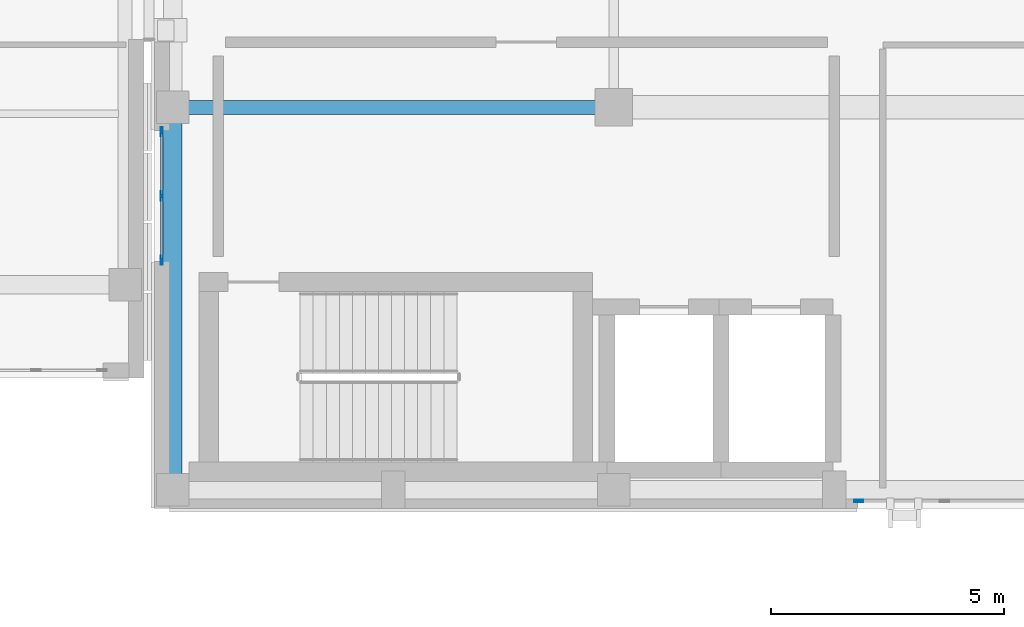
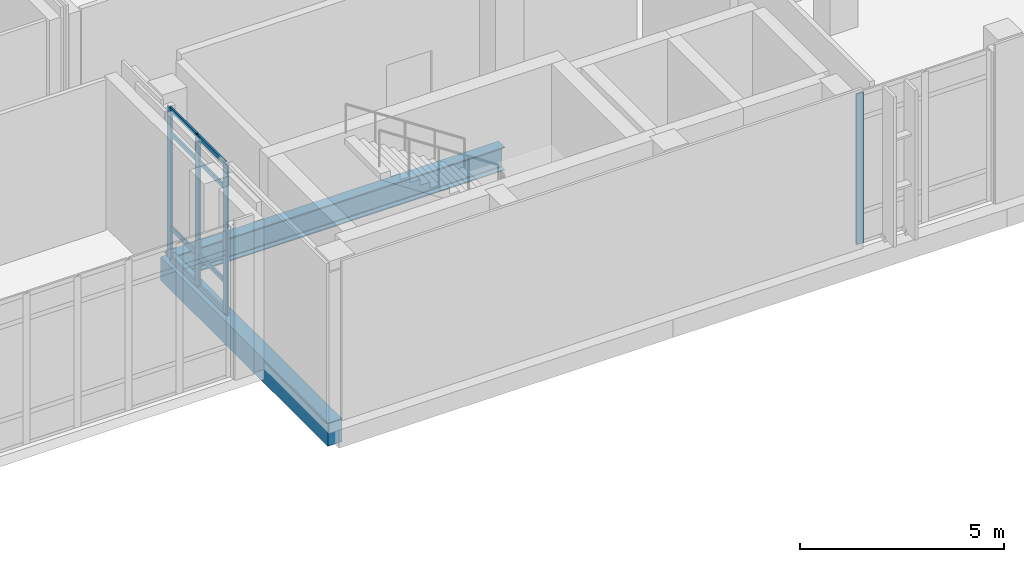
# One storey, part 10 of 189: 12 members, 2 beams, 2 elements without a shape of their own.
"""IFC4 building model written with IfcOpenShell, lengths in metres."""

from ifc_helpers import new_model, si_unit, direction, frame, origin, origin_2d, place, context, subcontext, project, spatial, rectangle, hollow_rectangle, i_section, extrude, material, layer, layer_set, material_profile, profile_set, type_object, element, aggregate, save


model = new_model("IFC4")

# Units and contexts
model_context = context("Model", 3, precision=1e-05, world=origin(), true_north=direction((0.0, 1.0)))
body_context = subcontext(model_context, "Body", "Model", "MODEL_VIEW")
ifc_project = project(units=[si_unit("LENGTHUNIT", "METRE"), si_unit("AREAUNIT", "SQUARE_METRE"), si_unit("VOLUMEUNIT", "CUBIC_METRE"), si_unit("PLANEANGLEUNIT", "RADIAN"), si_unit("MASSUNIT", "GRAM", prefix="KILO")], contexts=[model_context])

# Site, building, storey
site_placement = place(None, origin())
site = spatial("IfcSite", under=ifc_project, at=site_placement, CompositionType="ELEMENT")
building_placement = place(site_placement, origin())
building = spatial("IfcBuilding", under=site, at=building_placement, Name="Qalavern Law Courts", CompositionType="ELEMENT")
storey_placement = place(building_placement, frame((0.0, 0.0, 5.39990234375)))
storey = spatial("IfcBuildingStorey", under=building, at=storey_placement, Name="L01", CompositionType="ELEMENT", Elevation=5.39990234375)

# Curtain wall, member
ifc_material_1 = material(Name="Anodised aluminium and insulated glazing", Category="aluminium")
ifc_layer = layer(ifc_material_1, 0.18505859375)
ifc_layer_set = layer_set([ifc_layer], Name="Anodised aluminium and insulated glazing")
curtain_wall_type = type_object("IfcCurtainWallType", Name="ENV-CW-HALL", PredefinedType="USERDEFINED", material=ifc_layer_set)
curtain_wall_1_placement = place(storey_placement, origin())
curtain_wall_1 = element("IfcCurtainWall", 1, at=curtain_wall_1_placement, inside=storey, type_object=curtain_wall_type, Name="V2 unitised curtain wall L01 south 1", ObjectType="UNITISED CURTAIN WALL", PredefinedType="USERDEFINED")
ifc_material_2 = material(Name="Anodised aluminium", Category="aluminium")
ifc_material_profile_1 = material_profile(ifc_material_2, hollow_rectangle(XDim=0.048095703125, YDim=0.199951171875, WallThickness=0.00439453125, at=origin_2d()), Name="ALU MULLION 48x200")
ifc_profile_set_1 = profile_set([ifc_material_profile_1], Name="Anodised aluminium")
member_type_1 = type_object("IfcMemberType", Name="ENV-CWM-48x200", PredefinedType="MULLION", material=ifc_profile_set_1)
member_1_placement = place(storey_placement, frame((49.324951171875, 5.362548828125, 0.0), z_axis=(0.0, 0.0, 1.0), x_axis=(0.0, 1.0, 0.0)))
member_1 = element("IfcMember", 2, at=member_1_placement, type_object=member_type_1, Name="CW-02 mullion 1", PredefinedType="MULLION", context=body_context, shape_type="SweptSolid", body=[
    extrude(hollow_rectangle(XDim=0.048095703125, YDim=0.199951171875, WallThickness=0.00439453125, at=origin_2d()), origin(), (0.0, 0.0, 1.0), 4.510009765625),
])
aggregate(curtain_wall_1, [member_1])

# Curtain wall, members
curtain_wall_2_placement = place(storey_placement, origin())
curtain_wall_2 = element("IfcCurtainWall", 3, at=curtain_wall_2_placement, inside=storey, type_object=curtain_wall_type, Name="V2 unitised curtain wall L01 west 1", ObjectType="UNITISED CURTAIN WALL", PredefinedType="USERDEFINED")
member_2_placement = place(storey_placement, frame((34.382568359375, 13.27587890625, 0.0), z_axis=(0.0, 0.0, 1.0), x_axis=(1.0, 0.0, 0.0)))
member_2 = element("IfcMember", 4, at=member_2_placement, type_object=member_type_1, Name="CW-02 mullion 1", PredefinedType="MULLION", context=body_context, shape_type="SweptSolid", body=[
    extrude(hollow_rectangle(XDim=0.048095703125, YDim=0.199951171875, WallThickness=0.00439453125, at=origin_2d()), origin(), (0.0, 0.0, 1.0), 4.510009765625),
])
member_3_placement = place(storey_placement, frame((34.382568359375, 11.89990234375, 0.0), z_axis=(0.0, 0.0, 1.0), x_axis=(1.0, 0.0, 0.0)))
member_3 = element("IfcMember", 5, at=member_3_placement, type_object=member_type_1, Name="CW-02 mullion 2", PredefinedType="MULLION", context=body_context, shape_type="SweptSolid", body=[
    extrude(hollow_rectangle(XDim=0.048095703125, YDim=0.199951171875, WallThickness=0.00439453125, at=origin_2d()), origin(), (0.0, 0.0, 1.0), 4.510009765625),
])
member_4_placement = place(storey_placement, frame((34.382568359375, 10.52392578125, 0.0), z_axis=(0.0, 0.0, 1.0), x_axis=(1.0, 0.0, 0.0)))
member_4 = element("IfcMember", 6, at=member_4_placement, type_object=member_type_1, Name="CW-02 mullion 3", PredefinedType="MULLION", context=body_context, shape_type="SweptSolid", body=[
    extrude(hollow_rectangle(XDim=0.048095703125, YDim=0.199951171875, WallThickness=0.00439453125, at=origin_2d()), origin(), (0.0, 0.0, 1.0), 4.510009765625),
])
ifc_material_profile_2 = material_profile(ifc_material_2, hollow_rectangle(XDim=0.048095703125, YDim=0.139892578125, WallThickness=0.00390625, at=origin_2d()), Name="ALU TRANSOM 48x140")
ifc_profile_set_2 = profile_set([ifc_material_profile_2], Name="Anodised aluminium")
member_type_2 = type_object("IfcMemberType", Name="ENV-CWT-48x140", PredefinedType="USERDEFINED", material=ifc_profile_set_2)
member_5_placement = place(storey_placement, frame((34.382568359375, 13.251953125, 0.024169921875), z_axis=(0.0, -1.0, 0.0), x_axis=(1.0, 0.0, 0.0)))
member_5 = element("IfcMember", 7, at=member_5_placement, type_object=member_type_2, Name="CW-02 transom 1.1", ObjectType="TRANSOM", PredefinedType="USERDEFINED", context=body_context, shape_type="SweptSolid", body=[
    extrude(hollow_rectangle(XDim=0.048095703125, YDim=0.139892578125, WallThickness=0.00390625, at=origin_2d()), origin(), (0.0, 0.0, 1.0), 1.327880859375),
])
member_6_placement = place(storey_placement, frame((34.382568359375, 13.251953125, 0.9501953125), z_axis=(0.0, -1.0, 0.0), x_axis=(1.0, 0.0, 0.0)))
member_6 = element("IfcMember", 8, at=member_6_placement, type_object=member_type_2, Name="CW-02 transom 1.2", ObjectType="TRANSOM", PredefinedType="USERDEFINED", context=body_context, shape_type="SweptSolid", body=[
    extrude(hollow_rectangle(XDim=0.048095703125, YDim=0.139892578125, WallThickness=0.00390625, at=origin_2d()), origin(), (0.0, 0.0, 1.0), 1.327880859375),
])
member_7_placement = place(storey_placement, frame((34.382568359375, 13.251953125, 3.760009765625), z_axis=(0.0, -1.0, 0.0), x_axis=(1.0, 0.0, 0.0)))
member_7 = element("IfcMember", 9, at=member_7_placement, type_object=member_type_2, Name="CW-02 transom 1.3", ObjectType="TRANSOM", PredefinedType="USERDEFINED", context=body_context, shape_type="SweptSolid", body=[
    extrude(hollow_rectangle(XDim=0.048095703125, YDim=0.139892578125, WallThickness=0.00390625, at=origin_2d()), origin(), (0.0, 0.0, 1.0), 1.327880859375),
])
member_8_placement = place(storey_placement, frame((34.382568359375, 13.251953125, 4.486083984375), z_axis=(0.0, -1.0, 0.0), x_axis=(1.0, 0.0, 0.0)))
member_8 = element("IfcMember", 10, at=member_8_placement, type_object=member_type_2, Name="CW-02 transom 1.4", ObjectType="TRANSOM", PredefinedType="USERDEFINED", context=body_context, shape_type="SweptSolid", body=[
    extrude(hollow_rectangle(XDim=0.048095703125, YDim=0.139892578125, WallThickness=0.00390625, at=origin_2d()), origin(), (0.0, 0.0, 1.0), 1.327880859375),
])
member_9_placement = place(storey_placement, frame((34.382568359375, 11.8759765625, 0.024169921875), z_axis=(0.0, -1.0, 0.0), x_axis=(1.0, 0.0, 0.0)))
member_9 = element("IfcMember", 11, at=member_9_placement, type_object=member_type_2, Name="CW-02 transom 2.1", ObjectType="TRANSOM", PredefinedType="USERDEFINED", context=body_context, shape_type="SweptSolid", body=[
    extrude(hollow_rectangle(XDim=0.048095703125, YDim=0.139892578125, WallThickness=0.00390625, at=origin_2d()), origin(), (0.0, 0.0, 1.0), 1.327880859375),
])
member_10_placement = place(storey_placement, frame((34.382568359375, 11.8759765625, 0.9501953125), z_axis=(0.0, -1.0, 0.0), x_axis=(1.0, 0.0, 0.0)))
member_10 = element("IfcMember", 12, at=member_10_placement, type_object=member_type_2, Name="CW-02 transom 2.2", ObjectType="TRANSOM", PredefinedType="USERDEFINED", context=body_context, shape_type="SweptSolid", body=[
    extrude(hollow_rectangle(XDim=0.048095703125, YDim=0.139892578125, WallThickness=0.00390625, at=origin_2d()), origin(), (0.0, 0.0, 1.0), 1.327880859375),
])
member_11_placement = place(storey_placement, frame((34.382568359375, 11.8759765625, 3.760009765625), z_axis=(0.0, -1.0, 0.0), x_axis=(1.0, 0.0, 0.0)))
member_11 = element("IfcMember", 13, at=member_11_placement, type_object=member_type_2, Name="CW-02 transom 2.3", ObjectType="TRANSOM", PredefinedType="USERDEFINED", context=body_context, shape_type="SweptSolid", body=[
    extrude(hollow_rectangle(XDim=0.048095703125, YDim=0.139892578125, WallThickness=0.00390625, at=origin_2d()), origin(), (0.0, 0.0, 1.0), 1.327880859375),
])
member_12_placement = place(storey_placement, frame((34.382568359375, 11.8759765625, 4.486083984375), z_axis=(0.0, -1.0, 0.0), x_axis=(1.0, 0.0, 0.0)))
member_12 = element("IfcMember", 14, at=member_12_placement, type_object=member_type_2, Name="CW-02 transom 2.4", ObjectType="TRANSOM", PredefinedType="USERDEFINED", context=body_context, shape_type="SweptSolid", body=[
    extrude(hollow_rectangle(XDim=0.048095703125, YDim=0.139892578125, WallThickness=0.00390625, at=origin_2d()), origin(), (0.0, 0.0, 1.0), 1.327880859375),
])
aggregate(curtain_wall_2, [member_2, member_3, member_4, member_5, member_6, member_7, member_8, member_9, member_10, member_11, member_12])

# Beams
ifc_material_3 = material(Name="Steel S355", Category="steel")
ifc_material_profile_3 = material_profile(ifc_material_3, i_section(OverallWidth=0.300048828125, OverallDepth=0.699951171875, WebThickness=0.01708984375, FlangeThickness=0.031982421875, FilletRadius=0.027099609375, at=origin_2d()), Name="HEB 700")
ifc_profile_set_3 = profile_set([ifc_material_profile_3], Name="Steel S355")
beam_type_1 = type_object("IfcBeamType", Name="STR-BM-HEB700", PredefinedType="BEAM", material=ifc_profile_set_3)
beam_1_placement = place(storey_placement, frame((34.6201171875, 13.800048828125, -0.64990234375), z_axis=(1.0, 0.0, 0.0), x_axis=(0.0, 1.0, 0.0)))
element("IfcBeam", 15, at=beam_1_placement, inside=storey, type_object=beam_type_1, Name="V2 X-beam 2-1 L01", PredefinedType="BEAM", context=body_context, shape_type="SweptSolid", body=[
    extrude(i_section(OverallWidth=0.300048828125, OverallDepth=0.699951171875, WebThickness=0.01708984375, FlangeThickness=0.031982421875, FilletRadius=0.027099609375, at=origin_2d()), origin(), (0.0, 0.0, 1.0), 9.4541015625),
])
ifc_material_4 = material(Name="Concrete C40/50", Category="concrete")
ifc_material_profile_4 = material_profile(ifc_material_4, rectangle(XDim=0.39990234375, YDim=0.699951171875, at=origin_2d()), Name="RC 400x700")
ifc_profile_set_4 = profile_set([ifc_material_profile_4], Name="Concrete C40/50")
beam_type_2 = type_object("IfcBeamType", Name="STR-SP-RC400x700", PredefinedType="SPANDREL", material=ifc_profile_set_4)
beam_2_placement = place(storey_placement, frame((34.6201171875, 5.60009765625, -0.64990234375), z_axis=(0.0, 1.0, 0.0), x_axis=(-1.0, 0.0, 0.0)))
element("IfcBeam", 16, at=beam_2_placement, inside=storey, type_object=beam_type_2, Name="V2 Y-beam 1-1 L01", PredefinedType="SPANDREL", context=body_context, shape_type="SweptSolid", body=[
    extrude(rectangle(XDim=0.39990234375, YDim=0.699951171875, at=origin_2d()), origin(), (0.0, 0.0, 1.0), 8.199951171875),
])

save(model, "model.ifc")
